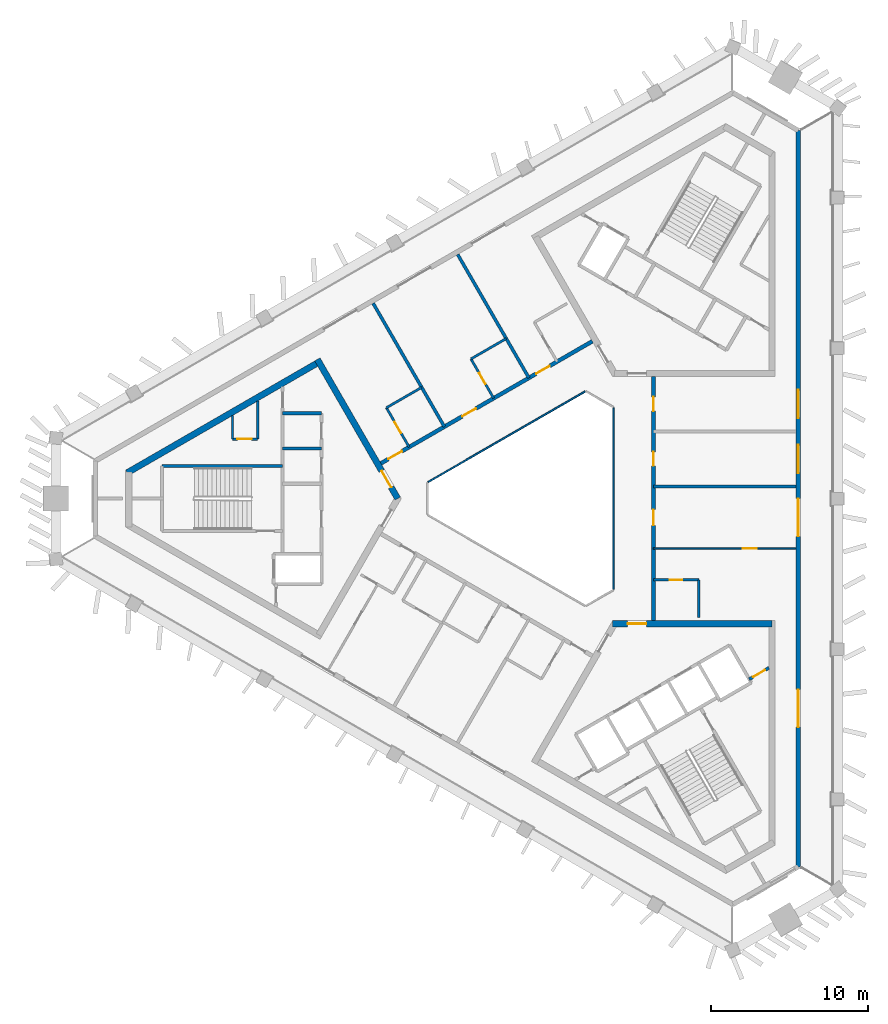
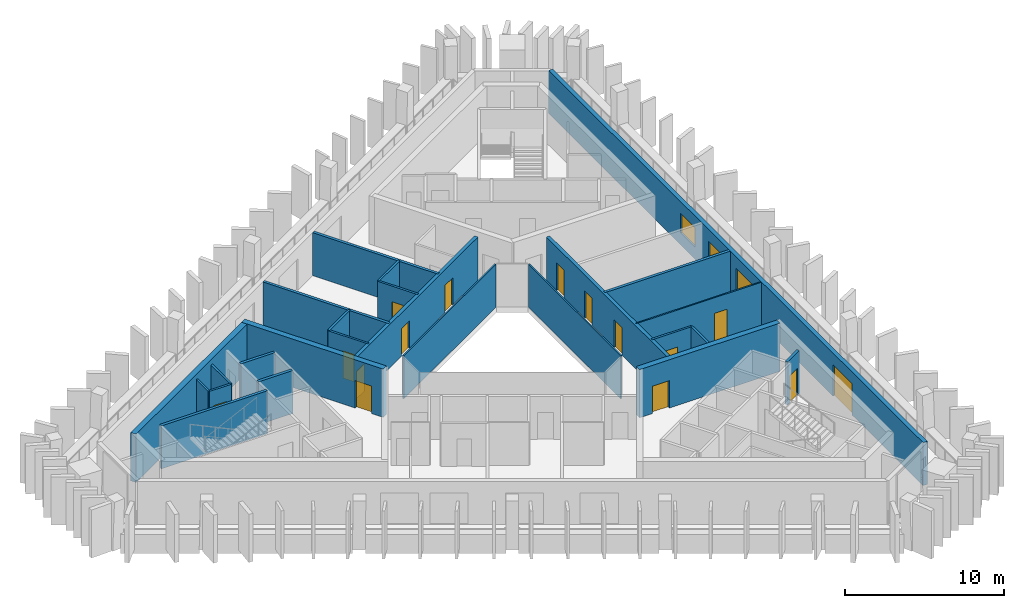
# One storey, part 4 of 10: 25 walls, 16 doors, 2 windows, 18 openings.
"""IFC4 building model written with IfcOpenShell, lengths in metres."""

from ifc_helpers import new_model, si_unit, direction, frame, frame_2d, origin, place, context, subcontext, project, spatial, rectangle, extrude, material, layer, layer_set, type_object, element, fill, save


model = new_model("IFC4")

# Units and contexts
model_context = context("Model", 3, precision=1e-05, world=origin(), true_north=direction((0.0, 1.0)))
body_context = subcontext(model_context, "Body", "Model", "MODEL_VIEW")
ifc_project = project(units=[si_unit("LENGTHUNIT", "METRE"), si_unit("AREAUNIT", "SQUARE_METRE"), si_unit("VOLUMEUNIT", "CUBIC_METRE"), si_unit("PLANEANGLEUNIT", "RADIAN"), si_unit("MASSUNIT", "GRAM", prefix="KILO")], contexts=[model_context])

# Site, building, storey
site_placement = place(None, origin())
site = spatial("IfcSite", under=ifc_project, at=site_placement, CompositionType="ELEMENT")
building_placement = place(site_placement, origin())
building = spatial("IfcBuilding", under=site, at=building_placement, Name="Jabali Bay Hotel Tower and Convention Centre", CompositionType="ELEMENT")
storey_placement = place(building_placement, frame((0.0, 0.0, 284.89990234375)))
storey = spatial("IfcBuildingStorey", under=building, at=storey_placement, Name="L70", CompositionType="ELEMENT", Elevation=284.89990234375)

# Walls
ifc_material_1 = material(Name="Fire-resistant glazing", Category="glass")
ifc_layer_1 = layer(ifc_material_1, 0.10009765625)
ifc_layer_set_1 = layer_set([ifc_layer_1], Name="Fire-resistant glazing")
wall_type_1 = type_object("IfcWallType", Name="Atrium glazed screen 100", PredefinedType="PARTITIONING", material=ifc_layer_set_1)
for number, where, z_axis, x_axis, name in (
    (1, (79.56005859375, 74.205810546875, 0.0), (0.0, 0.0, 1.0), (0.0, 1.0, 0.0), "Atrium screen 1 L70"),
    (2, (77.738037109375, 86.84619140625, 0.0), (0.0, 0.0, 1.0), (-0.866026658274, -0.499997827154, 0.0), "Atrium screen 3 L70"),
):
    element("IfcWall", number, at=place(storey_placement, frame(where, z_axis=z_axis, x_axis=x_axis)), inside=storey, type_object=wall_type_1, Name=name, PredefinedType="PARTITIONING", context=body_context, shape_type="SweptSolid", body=[
        extrude(rectangle(XDim=11.58837890625, YDim=0.10009765625, at=frame_2d((5.794189453125, 0.0))), origin(), (0.0, 0.0, 1.0), 3.300048828125),
    ])

# Wall, opening, door
ifc_material_2 = material(Name="Concrete C40", Category="concrete")
ifc_layer_2 = layer(ifc_material_2, 0.199951171875)
ifc_layer_set_2 = layer_set([ifc_layer_2], Name="Concrete C40")
wall_type_2 = type_object("IfcWallType", Name="Core partition wall 200", PredefinedType="PARTITIONING", material=ifc_layer_set_2)
wall_1_placement = place(storey_placement, frame((88.214599609375, 68.46142578125, 0.0), z_axis=(0.0, 0.0, 1.0), x_axis=(0.865982457891, 0.500074377092, 0.0)))
wall_1 = element("IfcWall", 3, at=wall_1_placement, inside=storey, type_object=wall_type_2, Name="Core wall 2.13 L70", PredefinedType="PARTITIONING", context=body_context, shape_type="SweptSolid", body=[
    extrude(rectangle(XDim=1.461181640625, YDim=0.199951171875, at=frame_2d((0.73046875, 0.0))), origin(), (0.0, 0.0, 1.0), 3.300048828125),
])
opening_1_placement = place(wall_1_placement, frame((0.280517578125, 0.0, 0.0)))
opening_1 = element("IfcOpeningElement", 4, at=opening_1_placement, cuts=wall_1, Name="Opening D1560", PredefinedType="OPENING", context=body_context, shape_type="SweptSolid", body=[
    extrude(rectangle(XDim=0.89990234375, YDim=2.10009765625, at=frame_2d((0.449951171875, 1.050048828125))), frame((0.0, 0.1103515625, 0.0), z_axis=(0.0, -1.0, 0.0), x_axis=(1.0, 0.0, 0.0)), (0.0, 0.0, 1.0), 0.220947265625),
])
ifc_material_3 = material(Name="Fire-rated steel door", Category="steel")
door_type_1 = type_object("IfcDoorType", Name="Vestibule fire door 900 x 2100", OperationType="NOTDEFINED", PredefinedType="NOTDEFINED", material=ifc_material_3)
door_1_placement = place(opening_1_placement, origin())
door_1 = element("IfcDoor", 5, at=door_1_placement, inside=storey, type_object=door_type_1, Name="Vestibule fire door D1560", OperationType="SINGLE_SWING_LEFT", OverallHeight=2.10009765625, OverallWidth=0.89990234375, PredefinedType="NOTDEFINED", context=body_context, shape_type="SweptSolid", body=[
    extrude(rectangle(XDim=0.89990234375, YDim=2.10009765625, at=frame_2d((0.449951171875, 1.050048828125))), frame((0.0, 0.02490234375, 0.0), z_axis=(0.0, -1.0, 0.0), x_axis=(1.0, 0.0, 0.0)), (0.0, 0.0, 1.0), 0.050048828125),
])
fill(opening_1, door_1)

ifc_material_4 = material(Name="Fire-rated board partition")
ifc_layer_3 = layer(ifc_material_4, 0.14990234375)
ifc_layer_set_3 = layer_set([ifc_layer_3], Name="Fire-rated board partition")
wall_type_3 = type_object("IfcWallType", Name="Core room partition 150", PredefinedType="PARTITIONING", material=ifc_layer_set_3)
wall_2_placement = place(storey_placement, frame((56.820068359375, 83.800048828125, 0.0), z_axis=(0.0, 0.0, 1.0), x_axis=(-1.0, 0.0, 0.0)))
wall_2 = element("IfcWall", 6, at=wall_2_placement, inside=storey, type_object=wall_type_3, Name="Core wall 0.1 L70", PredefinedType="PARTITIONING", context=body_context, shape_type="SweptSolid", body=[
    extrude(rectangle(XDim=1.60009765625, YDim=0.14990234375, at=frame_2d((0.800048828125, 0.0))), origin(), (0.0, 0.0, 1.0), 3.300048828125),
])
opening_2_placement = place(wall_2_placement, frame((0.387451171875, 0.0, 0.0)))
opening_2 = element("IfcOpeningElement", 7, at=opening_2_placement, cuts=wall_2, Name="Opening D1547", PredefinedType="OPENING", context=body_context, shape_type="SweptSolid", body=[
    extrude(rectangle(XDim=0.89990234375, YDim=2.10009765625, at=frame_2d((0.449951171875, 1.050048828125))), frame((0.0, 0.08544921875, 0.0), z_axis=(0.0, -1.0, 0.0), x_axis=(1.0, 0.0, 0.0)), (0.0, 0.0, 1.0), 0.1708984375),
])
door_type_2 = type_object("IfcDoorType", Name="Core room door 900 x 2100", OperationType="NOTDEFINED", PredefinedType="NOTDEFINED", material=ifc_material_3)
door_2_placement = place(opening_2_placement, origin())
door_2 = element("IfcDoor", 8, at=door_2_placement, inside=storey, type_object=door_type_2, Name="Core room door D1547", OperationType="SINGLE_SWING_LEFT", OverallHeight=2.10009765625, OverallWidth=0.89990234375, PredefinedType="NOTDEFINED", context=body_context, shape_type="SweptSolid", body=[
    extrude(rectangle(XDim=0.89990234375, YDim=2.10009765625, at=frame_2d((0.449951171875, 1.050048828125))), frame((0.0, 0.02490234375, 0.0), z_axis=(0.0, -1.0, 0.0), x_axis=(1.0, 0.0, 0.0)), (0.0, 0.0, 1.0), 0.050048828125),
])
fill(opening_2, door_2)

# Walls
wall_3_placement = place(storey_placement, frame((56.820068359375, 86.223876953125, 0.0), z_axis=(0.0, 0.0, 1.0), x_axis=(0.0, -1.0, 0.0)))
element("IfcWall", 9, at=wall_3_placement, inside=storey, type_object=wall_type_3, Name="Core wall 0.13 L70", PredefinedType="PARTITIONING", context=body_context, shape_type="SweptSolid", body=[
    extrude(rectangle(XDim=2.423828125, YDim=0.14990234375, at=frame_2d((1.2119140625, 0.0))), origin(), (0.0, 0.0, 1.0), 3.300048828125),
])
wall_4_placement = place(storey_placement, frame((55.219970703125, 85.300048828125, 0.0), z_axis=(0.0, 0.0, 1.0), x_axis=(0.0, -1.0, 0.0)))
element("IfcWall", 10, at=wall_4_placement, inside=storey, type_object=wall_type_3, Name="Core wall 0.14 L70", PredefinedType="PARTITIONING", context=body_context, shape_type="SweptSolid", body=[
    extrude(rectangle(XDim=1.5, YDim=0.14990234375, at=frame_2d((0.75, 0.0))), origin(), (0.0, 0.0, 1.0), 3.300048828125),
])
ifc_layer_4 = layer(ifc_material_2, 0.199951171875)
ifc_layer_set_4 = layer_set([ifc_layer_4], Name="Concrete C40")
wall_type_4 = type_object("IfcWallType", Name="Core stair wall 200", PredefinedType="SOLIDWALL", material=ifc_layer_set_4)
for number, where, z_axis, x_axis, name in (
    (11, (60.89990234375, 85.449951171875, 0.0), (0.0, 0.0, 1.0), (-1.0, 0.0, 0.0), "Core wall 0.0 L70"),
    (12, (60.89990234375, 83.199951171875, 0.0), (0.0, 0.0, 1.0), (-1.0, 0.0, 0.0), "Core wall 0.2 L70"),
):
    element("IfcWall", number, at=place(storey_placement, frame(where, z_axis=z_axis, x_axis=x_axis)), inside=storey, type_object=wall_type_4, Name=name, PredefinedType="SOLIDWALL", context=body_context, shape_type="SweptSolid", body=[
        extrude(rectangle(XDim=2.47998046875, YDim=0.199951171875, at=frame_2d((1.239990234375, 0.0))), origin(), (0.0, 0.0, 1.0), 3.300048828125),
    ])
wall_5_placement = place(storey_placement, frame((58.419921875, 82.074951171875, 0.0), z_axis=(0.0, 0.0, 1.0), x_axis=(-1.0, 0.0, 0.0)))
element("IfcWall", 13, at=wall_5_placement, inside=storey, type_object=wall_type_4, Name="Core wall 0.3 L70", PredefinedType="SOLIDWALL", context=body_context, shape_type="SweptSolid", body=[
    extrude(rectangle(XDim=7.699951171875, YDim=0.199951171875, at=frame_2d((3.85009765625, 0.0))), origin(), (0.0, 0.0, 1.0), 3.300048828125),
])

# Wall, opening, door
ifc_material_5 = material(Name="Concrete C60", Category="concrete")
ifc_layer_5 = layer(ifc_material_5, 0.39990234375)
ifc_layer_set_5 = layer_set([ifc_layer_5], Name="Concrete C60")
wall_type_5 = type_object("IfcWallType", Name="Core wall 400", PredefinedType="SHEAR", material=ifc_layer_set_5)
wall_6_placement = place(storey_placement, frame((65.76904296875, 80.0, 0.0), z_axis=(0.0, 0.0, 1.0), x_axis=(-0.50000177223, 0.866024380585, 0.0)))
wall_6 = element("IfcWall", 14, at=wall_6_placement, inside=storey, type_object=wall_type_5, Name="Core wall 1.1 L70", PredefinedType="SHEAR", context=body_context, shape_type="SweptSolid", body=[
    extrude(rectangle(XDim=10.2646484375, YDim=0.39990234375, at=frame_2d((5.13232421875, 0.0))), origin(), (0.0, 0.0, 1.0), 3.7001953125),
])
opening_3_placement = place(wall_6_placement, frame((0.83447265625, 0.0, 0.0)))
opening_3 = element("IfcOpeningElement", 15, at=opening_3_placement, cuts=wall_6, Name="Opening D1539", PredefinedType="OPENING", context=body_context, shape_type="SweptSolid", body=[
    extrude(rectangle(XDim=1.199951171875, YDim=2.10009765625, at=frame_2d((0.60009765625, 1.050048828125))), frame((0.0, 0.21044921875, 0.0), z_axis=(0.0, -1.0, 0.0), x_axis=(1.0, 0.0, 0.0)), (0.0, 0.0, 1.0), 0.4208984375),
])
door_type_3 = type_object("IfcDoorType", Name="Corridor end fire door 1200 x 2100", OperationType="NOTDEFINED", PredefinedType="NOTDEFINED", material=ifc_material_3)
door_3_placement = place(opening_3_placement, origin())
door_3 = element("IfcDoor", 16, at=door_3_placement, inside=storey, type_object=door_type_3, Name="Corridor end fire door D1539", OperationType="SINGLE_SWING_RIGHT", OverallHeight=2.10009765625, OverallWidth=1.199951171875, PredefinedType="NOTDEFINED", context=body_context, shape_type="SweptSolid", body=[
    extrude(rectangle(XDim=1.199951171875, YDim=2.10009765625, at=frame_2d((0.60009765625, 1.050048828125))), frame((0.0, 0.02490234375, 0.0), z_axis=(0.0, -1.0, 0.0), x_axis=(1.0, 0.0, 0.0)), (0.0, 0.0, 1.0), 0.050048828125),
])
fill(opening_3, door_3)

# Wall
wall_7_placement = place(storey_placement, frame((60.73681640625, 88.716064453125, 0.0), z_axis=(0.0, 0.0, 1.0), x_axis=(-0.866028812667, -0.499994095595, 0.0)))
element("IfcWall", 17, at=wall_7_placement, inside=storey, type_object=wall_type_5, Name="Core wall 1.2 L70", PredefinedType="SHEAR", context=body_context, shape_type="SweptSolid", body=[
    extrude(rectangle(XDim=14.133544921875, YDim=0.39990234375, at=frame_2d((7.06689453125, 0.0))), origin(), (0.0, 0.0, 1.0), 3.7001953125),
])

# Wall, opening, door
wall_8_placement = place(storey_placement, frame((89.679931640625, 72.005859375, 0.0), z_axis=(0.0, 0.0, 1.0), x_axis=(-1.0, 0.0, 0.0)))
wall_8 = element("IfcWall", 18, at=wall_8_placement, inside=storey, type_object=wall_type_5, Name="Core wall 3.5 L70", PredefinedType="SHEAR", context=body_context, shape_type="SweptSolid", body=[
    extrude(rectangle(XDim=10.179931640625, YDim=0.39990234375, at=frame_2d((5.08984375, 0.0))), origin(), (0.0, 0.0, 1.0), 3.7001953125),
])
opening_4_placement = place(wall_8_placement, frame((8.030029296875, 0.0, 0.0)))
opening_4 = element("IfcOpeningElement", 19, at=opening_4_placement, cuts=wall_8, Name="Opening D1558", PredefinedType="OPENING", context=body_context, shape_type="SweptSolid", body=[
    extrude(rectangle(XDim=1.199951171875, YDim=2.10009765625, at=frame_2d((0.60009765625, 1.050048828125))), frame((0.0, 0.21044921875, 0.0), z_axis=(0.0, -1.0, 0.0), x_axis=(1.0, 0.0, 0.0)), (0.0, 0.0, 1.0), 0.4208984375),
])
door_4_placement = place(opening_4_placement, origin())
door_4 = element("IfcDoor", 20, at=door_4_placement, inside=storey, type_object=door_type_3, Name="Corridor end fire door D1558", OperationType="SINGLE_SWING_LEFT", OverallHeight=2.10009765625, OverallWidth=1.199951171875, PredefinedType="NOTDEFINED", context=body_context, shape_type="SweptSolid", body=[
    extrude(rectangle(XDim=1.199951171875, YDim=2.10009765625, at=frame_2d((0.60009765625, 1.050048828125))), frame((0.0, 0.02490234375, 0.0), z_axis=(0.0, -1.0, 0.0), x_axis=(1.0, 0.0, 0.0)), (0.0, 0.0, 1.0), 0.050048828125),
])
fill(opening_4, door_4)

# Wall, openings, doors
ifc_layer_6 = layer(ifc_material_5, 0.25)
ifc_layer_set_6 = layer_set([ifc_layer_6], Name="Concrete C60")
wall_type_6 = type_object("IfcWallType", Name="Corridor wall 250", PredefinedType="SHEAR", material=ifc_layer_set_6)
wall_9_placement = place(storey_placement, frame((82.10009765625, 72.205810546875, 0.0), z_axis=(0.0, 0.0, 1.0), x_axis=(0.0, 1.0, 0.0)))
wall_9 = element("IfcWall", 21, at=wall_9_placement, inside=storey, type_object=wall_type_6, Name="Corridor wall 1 L70", PredefinedType="SHEAR", context=body_context, shape_type="SweptSolid", body=[
    extrude(rectangle(XDim=15.58837890625, YDim=0.25, at=frame_2d((7.794189453125, 0.0))), origin(), (0.0, 0.0, 1.0), 3.300048828125),
])
opening_5_placement = place(wall_9_placement, frame((6.0869140625, 0.0, 0.0)))
opening_5 = element("IfcOpeningElement", 22, at=opening_5_placement, cuts=wall_9, Name="Opening 7003", PredefinedType="OPENING", context=body_context, shape_type="SweptSolid", body=[
    extrude(rectangle(XDim=1.0, YDim=2.10009765625, at=frame_2d((0.5, 1.050048828125))), frame((0.0, 0.135498046875, 0.0), z_axis=(0.0, -1.0, 0.0), x_axis=(1.0, 0.0, 0.0)), (0.0, 0.0, 1.0), 0.27099609375),
])
opening_6_placement = place(wall_9_placement, frame((9.87744140625, 0.0, 0.0)))
opening_6 = element("IfcOpeningElement", 23, at=opening_6_placement, cuts=wall_9, Name="Opening 7004", PredefinedType="OPENING", context=body_context, shape_type="SweptSolid", body=[
    extrude(rectangle(XDim=0.89990234375, YDim=2.10009765625, at=frame_2d((0.449951171875, 1.050048828125))), frame((0.0, 0.135498046875, 0.0), z_axis=(0.0, -1.0, 0.0), x_axis=(1.0, 0.0, 0.0)), (0.0, 0.0, 1.0), 0.27099609375),
])
opening_7_placement = place(wall_9_placement, frame((13.384765625, 0.0, 0.0)))
opening_7 = element("IfcOpeningElement", 24, at=opening_7_placement, cuts=wall_9, Name="Opening 7005", PredefinedType="OPENING", context=body_context, shape_type="SweptSolid", body=[
    extrude(rectangle(XDim=0.89990234375, YDim=2.10009765625, at=frame_2d((0.449951171875, 1.050048828125))), frame((0.0, 0.135498046875, 0.0), z_axis=(0.0, -1.0, 0.0), x_axis=(1.0, 0.0, 0.0)), (0.0, 0.0, 1.0), 0.27099609375),
])
ifc_material_6 = material(Name="Timber", Category="wood")
door_type_4 = type_object("IfcDoorType", Name="Guest room door 1000 x 2100", OperationType="NOTDEFINED", PredefinedType="NOTDEFINED", material=ifc_material_6)
door_5_placement = place(opening_5_placement, origin())
door_5 = element("IfcDoor", 25, at=door_5_placement, inside=storey, type_object=door_type_4, Name="Door 7003", OperationType="SINGLE_SWING_LEFT", OverallHeight=2.10009765625, OverallWidth=1.0, PredefinedType="NOTDEFINED", context=body_context, shape_type="SweptSolid", body=[
    extrude(rectangle(XDim=1.0, YDim=2.10009765625, at=frame_2d((0.5, 1.050048828125))), frame((0.0, 0.02490234375, 0.0), z_axis=(0.0, -1.0, 0.0), x_axis=(1.0, 0.0, 0.0)), (0.0, 0.0, 1.0), 0.050048828125),
])
fill(opening_5, door_5)
door_type_5 = type_object("IfcDoorType", Name="Internal door 900 x 2100", OperationType="NOTDEFINED", PredefinedType="NOTDEFINED", material=ifc_material_6)
door_6_placement = place(opening_6_placement, origin())
door_6 = element("IfcDoor", 26, at=door_6_placement, inside=storey, type_object=door_type_5, Name="Door 7004", OperationType="SINGLE_SWING_RIGHT", OverallHeight=2.10009765625, OverallWidth=0.89990234375, PredefinedType="NOTDEFINED", context=body_context, shape_type="SweptSolid", body=[
    extrude(rectangle(XDim=0.89990234375, YDim=2.10009765625, at=frame_2d((0.449951171875, 1.050048828125))), frame((0.0, 0.02490234375, 0.0), z_axis=(0.0, -1.0, 0.0), x_axis=(1.0, 0.0, 0.0)), (0.0, 0.0, 1.0), 0.050048828125),
])
fill(opening_6, door_6)
door_7_placement = place(opening_7_placement, origin())
door_7 = element("IfcDoor", 27, at=door_7_placement, inside=storey, type_object=door_type_5, Name="Door 7005", OperationType="SINGLE_SWING_RIGHT", OverallHeight=2.10009765625, OverallWidth=0.89990234375, PredefinedType="NOTDEFINED", context=body_context, shape_type="SweptSolid", body=[
    extrude(rectangle(XDim=0.89990234375, YDim=2.10009765625, at=frame_2d((0.449951171875, 1.050048828125))), frame((0.0, 0.02490234375, 0.0), z_axis=(0.0, -1.0, 0.0), x_axis=(1.0, 0.0, 0.0)), (0.0, 0.0, 1.0), 0.050048828125),
])
fill(opening_7, door_7)

wall_10_placement = place(storey_placement, frame((78.199951171875, 90.0458984375, 0.0), z_axis=(0.0, 0.0, 1.0), x_axis=(-0.866026492143, -0.499998114903, 0.0)))
wall_10 = element("IfcWall", 28, at=wall_10_placement, inside=storey, type_object=wall_type_6, Name="Corridor wall 2 L70", PredefinedType="SHEAR", context=body_context, shape_type="SweptSolid", body=[
    extrude(rectangle(XDim=15.58837890625, YDim=0.25, at=frame_2d((7.794189453125, 0.0))), origin(), (0.0, 0.0, 1.0), 3.300048828125),
])
opening_8_placement = place(wall_10_placement, frame((3.13818359375, 0.0, 0.0)))
opening_8 = element("IfcOpeningElement", 29, at=opening_8_placement, cuts=wall_10, Name="Opening 7007", PredefinedType="OPENING", context=body_context, shape_type="SweptSolid", body=[
    extrude(rectangle(XDim=1.0, YDim=2.10009765625, at=frame_2d((0.5, 1.050048828125))), frame((0.0, 0.135498046875, 0.0), z_axis=(0.0, -1.0, 0.0), x_axis=(1.0, 0.0, 0.0)), (0.0, 0.0, 1.0), 0.27099609375),
])
opening_9_placement = place(wall_10_placement, frame((8.59423828125, 0.0, 0.0)))
opening_9 = element("IfcOpeningElement", 30, at=opening_9_placement, cuts=wall_10, Name="Opening 7009", PredefinedType="OPENING", context=body_context, shape_type="SweptSolid", body=[
    extrude(rectangle(XDim=1.0, YDim=2.10009765625, at=frame_2d((0.5, 1.050048828125))), frame((0.0, 0.135498046875, 0.0), z_axis=(0.0, -1.0, 0.0), x_axis=(1.0, 0.0, 0.0)), (0.0, 0.0, 1.0), 0.27099609375),
])
opening_10_placement = place(wall_10_placement, frame((14.05029296875, 0.0, 0.0)))
opening_10 = element("IfcOpeningElement", 31, at=opening_10_placement, cuts=wall_10, Name="Opening 7011", PredefinedType="OPENING", context=body_context, shape_type="SweptSolid", body=[
    extrude(rectangle(XDim=1.0, YDim=2.10009765625, at=frame_2d((0.5, 1.050048828125))), frame((0.0, 0.135498046875, 0.0), z_axis=(0.0, -1.0, 0.0), x_axis=(1.0, 0.0, 0.0)), (0.0, 0.0, 1.0), 0.27099609375),
])
door_8_placement = place(opening_8_placement, origin())
door_8 = element("IfcDoor", 32, at=door_8_placement, inside=storey, type_object=door_type_4, Name="Door 7007", OperationType="SINGLE_SWING_LEFT", OverallHeight=2.10009765625, OverallWidth=1.0, PredefinedType="NOTDEFINED", context=body_context, shape_type="SweptSolid", body=[
    extrude(rectangle(XDim=1.0, YDim=2.10009765625, at=frame_2d((0.5, 1.050048828125))), frame((0.0, 0.02490234375, 0.0), z_axis=(0.0, -1.0, 0.0), x_axis=(1.0, 0.0, 0.0)), (0.0, 0.0, 1.0), 0.050048828125),
])
fill(opening_8, door_8)
door_9_placement = place(opening_9_placement, origin())
door_9 = element("IfcDoor", 33, at=door_9_placement, inside=storey, type_object=door_type_4, Name="Door 7009", OperationType="SINGLE_SWING_RIGHT", OverallHeight=2.10009765625, OverallWidth=1.0, PredefinedType="NOTDEFINED", context=body_context, shape_type="SweptSolid", body=[
    extrude(rectangle(XDim=1.0, YDim=2.10009765625, at=frame_2d((0.5, 1.050048828125))), frame((0.0, 0.02490234375, 0.0), z_axis=(0.0, -1.0, 0.0), x_axis=(1.0, 0.0, 0.0)), (0.0, 0.0, 1.0), 0.050048828125),
])
fill(opening_9, door_9)
door_10_placement = place(opening_10_placement, origin())
door_10 = element("IfcDoor", 34, at=door_10_placement, inside=storey, type_object=door_type_4, Name="Door 7011", OperationType="SINGLE_SWING_RIGHT", OverallHeight=2.10009765625, OverallWidth=1.0, PredefinedType="NOTDEFINED", context=body_context, shape_type="SweptSolid", body=[
    extrude(rectangle(XDim=1.0, YDim=2.10009765625, at=frame_2d((0.5, 1.050048828125))), frame((0.0, 0.02490234375, 0.0), z_axis=(0.0, -1.0, 0.0), x_axis=(1.0, 0.0, 0.0)), (0.0, 0.0, 1.0), 0.050048828125),
])
fill(opening_10, door_10)

# Wall, openings, doors, windows
ifc_layer_7 = layer(ifc_material_2, 0.300048828125)
ifc_layer_set_7 = layer_set([ifc_layer_7], Name="Concrete C40")
wall_type_7 = type_object("IfcWallType", Name="External wall 300", PredefinedType="SOLIDWALL", material=ifc_layer_set_7)
wall_11_placement = place(storey_placement, frame((91.353759765625, 103.51513671875, 0.0), z_axis=(0.0, 0.0, 1.0), x_axis=(0.0, -1.0, 0.0)))
wall_11 = element("IfcWall", 35, at=wall_11_placement, inside=storey, type_object=wall_type_7, Name="External wall east face L70", PredefinedType="SOLIDWALL", context=body_context, shape_type="SweptSolid", body=[
    extrude(rectangle(XDim=47.0302734375, YDim=0.300048828125, at=frame_2d((23.51513671875, 0.0))), origin(), (0.0, 0.0, 1.0), 3.300048828125),
])
opening_11_placement = place(wall_11_placement, frame((35.713623046875, 0.0, 0.0)))
opening_11 = element("IfcOpeningElement", 36, at=opening_11_placement, cuts=wall_11, Name="Opening SD1", PredefinedType="OPENING", context=body_context, shape_type="SweptSolid", body=[
    extrude(rectangle(XDim=2.39990234375, YDim=2.39990234375, at=frame_2d((1.199951171875, 1.199951171875))), frame((0.0, 0.16064453125, 0.0), z_axis=(0.0, -1.0, 0.0), x_axis=(1.0, 0.0, 0.0)), (0.0, 0.0, 1.0), 0.321044921875),
])
opening_12_placement = place(wall_11_placement, frame((23.5224609375, 0.0, 0.0)))
opening_12 = element("IfcOpeningElement", 37, at=opening_12_placement, cuts=wall_11, Name="Opening SD1", PredefinedType="OPENING", context=body_context, shape_type="SweptSolid", body=[
    extrude(rectangle(XDim=2.39990234375, YDim=2.39990234375, at=frame_2d((1.199951171875, 1.199951171875))), frame((0.0, 0.16064453125, 0.0), z_axis=(0.0, -1.0, 0.0), x_axis=(1.0, 0.0, 0.0)), (0.0, 0.0, 1.0), 0.321044921875),
])
opening_13_placement = place(wall_11_placement, frame((20.08203125, 0.0, 0.89990234375)))
opening_13 = element("IfcOpeningElement", 38, at=opening_13_placement, cuts=wall_11, Name="Opening W1", PredefinedType="OPENING", context=body_context, shape_type="SweptSolid", body=[
    extrude(rectangle(XDim=1.800048828125, YDim=1.5, at=frame_2d((0.89990234375, 0.75))), frame((0.0, 0.16064453125, 0.0), z_axis=(0.0, -1.0, 0.0), x_axis=(1.0, 0.0, 0.0)), (0.0, 0.0, 1.0), 0.321044921875),
])
opening_14_placement = place(wall_11_placement, frame((16.574462890625, 0.0, 0.89990234375)))
opening_14 = element("IfcOpeningElement", 39, at=opening_14_placement, cuts=wall_11, Name="Opening W1", PredefinedType="OPENING", context=body_context, shape_type="SweptSolid", body=[
    extrude(rectangle(XDim=1.800048828125, YDim=1.5, at=frame_2d((0.89990234375, 0.75))), frame((0.0, 0.16064453125, 0.0), z_axis=(0.0, -1.0, 0.0), x_axis=(1.0, 0.0, 0.0)), (0.0, 0.0, 1.0), 0.321044921875),
])
ifc_material_7 = material(Name="Glass", Category="glass")
door_type_6 = type_object("IfcDoorType", Name="Loggia sliding door 2400 x 2400", OperationType="NOTDEFINED", PredefinedType="NOTDEFINED", material=ifc_material_7)
door_11_placement = place(opening_11_placement, origin())
door_11 = element("IfcDoor", 40, at=door_11_placement, inside=storey, type_object=door_type_6, Name="Loggia sliding door 7001", OperationType="SLIDING_TO_LEFT", OverallHeight=2.39990234375, OverallWidth=2.39990234375, PredefinedType="NOTDEFINED", context=body_context, shape_type="SweptSolid", body=[
    extrude(rectangle(XDim=2.39990234375, YDim=2.39990234375, at=frame_2d((1.199951171875, 1.199951171875))), frame((0.0, 0.02490234375, 0.0), z_axis=(0.0, -1.0, 0.0), x_axis=(1.0, 0.0, 0.0)), (0.0, 0.0, 1.0), 0.050048828125),
])
fill(opening_11, door_11)
door_12_placement = place(opening_12_placement, origin())
door_12 = element("IfcDoor", 41, at=door_12_placement, inside=storey, type_object=door_type_6, Name="Loggia sliding door 7001", OperationType="SLIDING_TO_RIGHT", OverallHeight=2.39990234375, OverallWidth=2.39990234375, PredefinedType="NOTDEFINED", context=body_context, shape_type="SweptSolid", body=[
    extrude(rectangle(XDim=2.39990234375, YDim=2.39990234375, at=frame_2d((1.199951171875, 1.199951171875))), frame((0.0, 0.02490234375, 0.0), z_axis=(0.0, -1.0, 0.0), x_axis=(1.0, 0.0, 0.0)), (0.0, 0.0, 1.0), 0.050048828125),
])
fill(opening_12, door_12)
window_type = type_object("IfcWindowType", Name="Window 1800 x 1500", PartitioningType="SINGLE_PANEL", PredefinedType="WINDOW", material=ifc_material_7)
window_1_placement = place(opening_13_placement, origin())
window_1 = element("IfcWindow", 42, at=window_1_placement, inside=storey, type_object=window_type, Name="Window 7002", OverallHeight=1.5, OverallWidth=1.800048828125, PartitioningType="SINGLE_PANEL", PredefinedType="WINDOW", context=body_context, shape_type="SweptSolid", body=[
    extrude(rectangle(XDim=1.800048828125, YDim=1.5, at=frame_2d((0.89990234375, 0.75))), frame((0.0, 0.030029296875, 0.0), z_axis=(0.0, -1.0, 0.0), x_axis=(1.0, 0.0, 0.0)), (0.0, 0.0, 1.0), 0.06005859375),
])
fill(opening_13, window_1)
window_2_placement = place(opening_14_placement, origin())
window_2 = element("IfcWindow", 43, at=window_2_placement, inside=storey, type_object=window_type, Name="Window 7003", OverallHeight=1.5, OverallWidth=1.800048828125, PartitioningType="SINGLE_PANEL", PredefinedType="WINDOW", context=body_context, shape_type="SweptSolid", body=[
    extrude(rectangle(XDim=1.800048828125, YDim=1.5, at=frame_2d((0.89990234375, 0.75))), frame((0.0, 0.030029296875, 0.0), z_axis=(0.0, -1.0, 0.0), x_axis=(1.0, 0.0, 0.0)), (0.0, 0.0, 1.0), 0.06005859375),
])
fill(opening_14, window_2)

# Wall, opening, door
ifc_material_8 = material(Name="Plasterboard on steel stud", Category="steel")
ifc_layer_8 = layer(ifc_material_8, 0.10009765625)
ifc_layer_set_8 = layer_set([ifc_layer_8], Name="Plasterboard on steel stud")
wall_type_8 = type_object("IfcWallType", Name="Partition 100 unit", PredefinedType="PARTITIONING", material=ifc_layer_set_8)
wall_12_placement = place(storey_placement, frame((91.203857421875, 76.8056640625, 0.0), z_axis=(0.0, 0.0, 1.0), x_axis=(-1.0, 0.0, 0.0)))
wall_12 = element("IfcWall", 44, at=wall_12_placement, inside=storey, type_object=wall_type_8, Name="Partition P02 L70 001", PredefinedType="PARTITIONING", context=body_context, shape_type="SweptSolid", body=[
    extrude(rectangle(XDim=9.103759765625, YDim=0.10009765625, at=frame_2d((4.5517578125, 0.0))), origin(), (0.0, 0.0, 1.0), 3.300048828125),
])
opening_15_placement = place(wall_12_placement, frame((2.501953125, 0.0, 0.0)))
opening_15 = element("IfcOpeningElement", 45, at=opening_15_placement, cuts=wall_12, Name="Opening 7002", PredefinedType="OPENING", context=body_context, shape_type="SweptSolid", body=[
    extrude(rectangle(XDim=0.89990234375, YDim=2.10009765625, at=frame_2d((0.449951171875, 1.050048828125))), frame((0.0, 0.060546875, 0.0), z_axis=(0.0, -1.0, 0.0), x_axis=(1.0, 0.0, 0.0)), (0.0, 0.0, 1.0), 0.12109375),
])
door_13_placement = place(opening_15_placement, origin())
door_13 = element("IfcDoor", 46, at=door_13_placement, inside=storey, type_object=door_type_5, Name="Door 7002", OperationType="SINGLE_SWING_RIGHT", OverallHeight=2.10009765625, OverallWidth=0.89990234375, PredefinedType="NOTDEFINED", context=body_context, shape_type="SweptSolid", body=[
    extrude(rectangle(XDim=0.89990234375, YDim=2.10009765625, at=frame_2d((0.449951171875, 1.050048828125))), frame((0.0, 0.02490234375, 0.0), z_axis=(0.0, -1.0, 0.0), x_axis=(1.0, 0.0, 0.0)), (0.0, 0.0, 1.0), 0.050048828125),
])
fill(opening_15, door_13)

ifc_layer_9 = layer(ifc_material_8, 0.14990234375)
ifc_layer_set_9 = layer_set([ifc_layer_9], Name="Plasterboard on steel stud")
wall_type_9 = type_object("IfcWallType", Name="Partition 150 wet", PredefinedType="PARTITIONING", material=ifc_layer_set_9)
wall_13_placement = place(storey_placement, frame((82.10009765625, 74.8056640625, 0.0), z_axis=(0.0, 0.0, 1.0), x_axis=(1.0, 0.0, 0.0)))
wall_13 = element("IfcWall", 47, at=wall_13_placement, inside=storey, type_object=wall_type_9, Name="Partition P03 L70 002", PredefinedType="PARTITIONING", context=body_context, shape_type="SweptSolid", body=[
    extrude(rectangle(XDim=2.89990234375, YDim=0.14990234375, at=frame_2d((1.449951171875, 0.0))), origin(), (0.0, 0.0, 1.0), 3.300048828125),
])
opening_16_placement = place(wall_13_placement, frame((1.050048828125, 0.0, 0.0)))
opening_16 = element("IfcOpeningElement", 48, at=opening_16_placement, cuts=wall_13, Name="Opening 7001", PredefinedType="OPENING", context=body_context, shape_type="SweptSolid", body=[
    extrude(rectangle(XDim=0.800048828125, YDim=2.10009765625, at=frame_2d((0.39990234375, 1.050048828125))), frame((0.0, 0.08544921875, 0.0), z_axis=(0.0, -1.0, 0.0), x_axis=(1.0, 0.0, 0.0)), (0.0, 0.0, 1.0), 0.1708984375),
])
door_type_7 = type_object("IfcDoorType", Name="En-suite door 800 x 2100", OperationType="NOTDEFINED", PredefinedType="NOTDEFINED", material=ifc_material_6)
door_14_placement = place(opening_16_placement, origin())
door_14 = element("IfcDoor", 49, at=door_14_placement, inside=storey, type_object=door_type_7, Name="Door 7001", OperationType="SINGLE_SWING_LEFT", OverallHeight=2.10009765625, OverallWidth=0.800048828125, PredefinedType="NOTDEFINED", context=body_context, shape_type="SweptSolid", body=[
    extrude(rectangle(XDim=0.800048828125, YDim=2.10009765625, at=frame_2d((0.39990234375, 1.050048828125))), frame((0.0, 0.02490234375, 0.0), z_axis=(0.0, -1.0, 0.0), x_axis=(1.0, 0.0, 0.0)), (0.0, 0.0, 1.0), 0.050048828125),
])
fill(opening_16, door_14)

# Wall
wall_14_placement = place(storey_placement, frame((85.0, 74.8056640625, 0.0), z_axis=(0.0, 0.0, 1.0), x_axis=(0.0, -1.0, 0.0)))
element("IfcWall", 50, at=wall_14_placement, inside=storey, type_object=wall_type_9, Name="Partition P03 L70 003", PredefinedType="PARTITIONING", context=body_context, shape_type="SweptSolid", body=[
    extrude(rectangle(XDim=2.39990234375, YDim=0.14990234375, at=frame_2d((1.199951171875, 0.0))), origin(), (0.0, 0.0, 1.0), 3.300048828125),
])

# Wall, opening, door
wall_15_placement = place(storey_placement, frame((71.8984375, 86.40771484375, 0.0), z_axis=(0.0, 0.0, 1.0), x_axis=(-0.50005036918, 0.865996321171, 0.0)))
wall_15 = element("IfcWall", 51, at=wall_15_placement, inside=storey, type_object=wall_type_9, Name="Partition P03 L70 011", PredefinedType="PARTITIONING", context=body_context, shape_type="SweptSolid", body=[
    extrude(rectangle(XDim=2.900146484375, YDim=0.14990234375, at=frame_2d((1.4501953125, 0.0))), origin(), (0.0, 0.0, 1.0), 3.300048828125),
])
opening_17_placement = place(wall_15_placement, frame((1.050048828125, 0.0, 0.0)))
opening_17 = element("IfcOpeningElement", 52, at=opening_17_placement, cuts=wall_15, Name="Opening 7008", PredefinedType="OPENING", context=body_context, shape_type="SweptSolid", body=[
    extrude(rectangle(XDim=0.800048828125, YDim=2.10009765625, at=frame_2d((0.39990234375, 1.050048828125))), frame((0.0, 0.08544921875, 0.0), z_axis=(0.0, -1.0, 0.0), x_axis=(1.0, 0.0, 0.0)), (0.0, 0.0, 1.0), 0.1708984375),
])
door_15_placement = place(opening_17_placement, origin())
door_15 = element("IfcDoor", 53, at=door_15_placement, inside=storey, type_object=door_type_7, Name="Door 7008", OperationType="SINGLE_SWING_LEFT", OverallHeight=2.10009765625, OverallWidth=0.800048828125, PredefinedType="NOTDEFINED", context=body_context, shape_type="SweptSolid", body=[
    extrude(rectangle(XDim=0.800048828125, YDim=2.10009765625, at=frame_2d((0.39990234375, 1.050048828125))), frame((0.0, 0.02490234375, 0.0), z_axis=(0.0, -1.0, 0.0), x_axis=(1.0, 0.0, 0.0)), (0.0, 0.0, 1.0), 0.050048828125),
])
fill(opening_17, door_15)

# Wall
wall_16_placement = place(storey_placement, frame((70.4482421875, 88.919189453125, 0.0), z_axis=(0.0, 0.0, 1.0), x_axis=(0.866062058628, 0.499936506574, 0.0)))
element("IfcWall", 54, at=wall_16_placement, inside=storey, type_object=wall_type_9, Name="Partition P03 L70 012", PredefinedType="PARTITIONING", context=body_context, shape_type="SweptSolid", body=[
    extrude(rectangle(XDim=2.599853515625, YDim=0.14990234375, at=frame_2d((1.2998046875, 0.0))), origin(), (0.0, 0.0, 1.0), 3.300048828125),
])

# Wall, opening, door
wall_17_placement = place(storey_placement, frame((66.498291015625, 83.2900390625, 0.0), z_axis=(0.0, 0.0, 1.0), x_axis=(-0.499987231761, 0.866032775405, 0.0)))
wall_17 = element("IfcWall", 55, at=wall_17_placement, inside=storey, type_object=wall_type_9, Name="Partition P03 L70 014", PredefinedType="PARTITIONING", context=body_context, shape_type="SweptSolid", body=[
    extrude(rectangle(XDim=2.89990234375, YDim=0.14990234375, at=frame_2d((1.449951171875, 0.0))), origin(), (0.0, 0.0, 1.0), 3.300048828125),
])
opening_18_placement = place(wall_17_placement, frame((1.050048828125, 0.0, 0.0)))
opening_18 = element("IfcOpeningElement", 56, at=opening_18_placement, cuts=wall_17, Name="Opening 7010", PredefinedType="OPENING", context=body_context, shape_type="SweptSolid", body=[
    extrude(rectangle(XDim=0.800048828125, YDim=2.10009765625, at=frame_2d((0.39990234375, 1.050048828125))), frame((0.0, 0.08544921875, 0.0), z_axis=(0.0, -1.0, 0.0), x_axis=(1.0, 0.0, 0.0)), (0.0, 0.0, 1.0), 0.1708984375),
])
door_16_placement = place(opening_18_placement, origin())
door_16 = element("IfcDoor", 57, at=door_16_placement, inside=storey, type_object=door_type_7, Name="Door 7010", OperationType="SINGLE_SWING_LEFT", OverallHeight=2.10009765625, OverallWidth=0.800048828125, PredefinedType="NOTDEFINED", context=body_context, shape_type="SweptSolid", body=[
    extrude(rectangle(XDim=0.800048828125, YDim=2.10009765625, at=frame_2d((0.39990234375, 1.050048828125))), frame((0.0, 0.02490234375, 0.0), z_axis=(0.0, -1.0, 0.0), x_axis=(1.0, 0.0, 0.0)), (0.0, 0.0, 1.0), 0.050048828125),
])
fill(opening_18, door_16)

# Walls
wall_18_placement = place(storey_placement, frame((65.04833984375, 85.801513671875, 0.0), z_axis=(0.0, 0.0, 1.0), x_axis=(0.866062058628, 0.499936506574, 0.0)))
element("IfcWall", 58, at=wall_18_placement, inside=storey, type_object=wall_type_9, Name="Partition P03 L70 015", PredefinedType="PARTITIONING", context=body_context, shape_type="SweptSolid", body=[
    extrude(rectangle(XDim=2.599853515625, YDim=0.14990234375, at=frame_2d((1.2998046875, 0.0))), origin(), (0.0, 0.0, 1.0), 3.300048828125),
])
ifc_layer_10 = layer(ifc_material_8, 0.199951171875)
ifc_layer_set_10 = layer_set([ifc_layer_10], Name="Plasterboard on steel stud")
wall_type_10 = type_object("IfcWallType", Name="Partition 200 party", PredefinedType="PARTITIONING", material=ifc_layer_set_10)
for number, where, z_axis, x_axis, name in (
    (59, (91.204833984375, 80.779541015625, 0.0), (0.0, 0.0, 1.0), (-1.0, 0.0, 0.0), "Partition P01 L70 005"),
    (60, (69.59765625, 95.592529296875, 0.0), (0.0, 0.0, 1.0), (0.499986291394, -0.866033318307, 0.0), "Partition P01 L70 010"),
):
    element("IfcWall", number, at=place(storey_placement, frame(where, z_axis=z_axis, x_axis=x_axis)), inside=storey, type_object=wall_type_10, Name=name, PredefinedType="PARTITIONING", context=body_context, shape_type="SweptSolid", body=[
        extrude(rectangle(XDim=9.104736328125, YDim=0.199951171875, at=frame_2d((4.55224609375, 0.0))), origin(), (0.0, 0.0, 1.0), 3.300048828125),
    ])
wall_19_placement = place(storey_placement, frame((64.197509765625, 92.474853515625, 0.0), z_axis=(0.0, 0.0, 1.0), x_axis=(0.500006402358, -0.86602170735, 0.0)))
element("IfcWall", 61, at=wall_19_placement, inside=storey, type_object=wall_type_10, Name="Partition P01 L70 013", PredefinedType="PARTITIONING", context=body_context, shape_type="SweptSolid", body=[
    extrude(rectangle(XDim=9.10498046875, YDim=0.199951171875, at=frame_2d((4.552490234375, 0.0))), origin(), (0.0, 0.0, 1.0), 3.300048828125),
])

save(model, "model.ifc")
